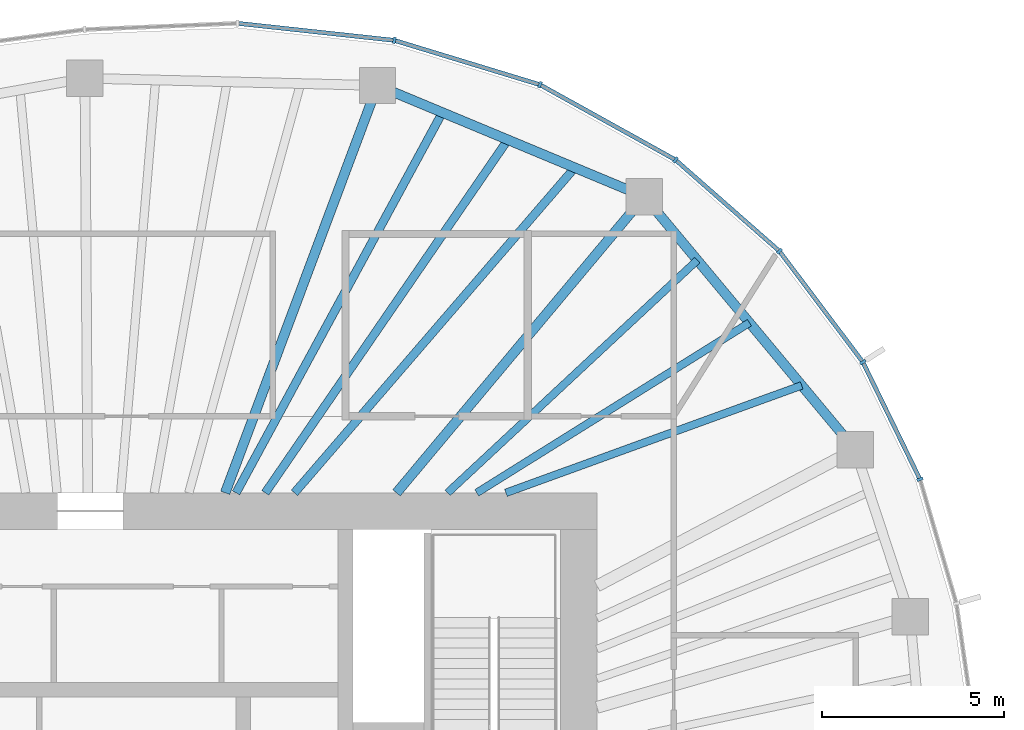
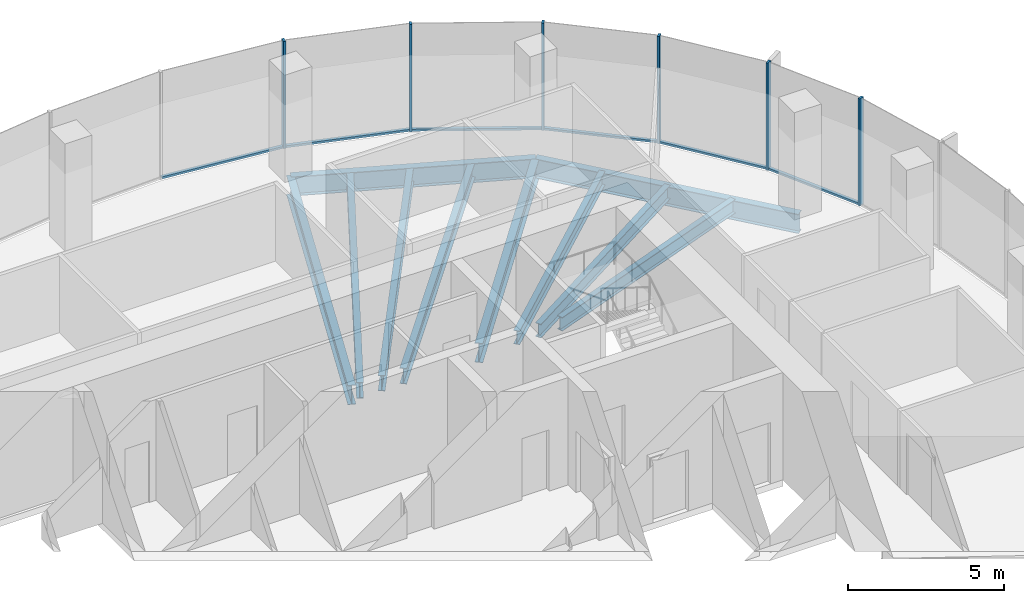
# One storey, part 6 of 12: 12 members, 10 beams, 4 elements without a shape of their own.
"""IFC4 building model written with IfcOpenShell, lengths in metres."""

from ifc_helpers import new_model, si_unit, direction, frame, origin, origin_2d, place, context, subcontext, project, spatial, rectangle, i_section, extrude, material, material_profile, profile_set, type_object, element, aggregate, save


model = new_model("IFC4")

# Units and contexts
model_context = context("Model", 3, precision=1e-05, world=origin(), true_north=direction((0.0, 1.0)))
body_context = subcontext(model_context, "Body", "Model", "MODEL_VIEW")
ifc_project = project(units=[si_unit("LENGTHUNIT", "METRE"), si_unit("AREAUNIT", "SQUARE_METRE"), si_unit("VOLUMEUNIT", "CUBIC_METRE"), si_unit("PLANEANGLEUNIT", "RADIAN"), si_unit("MASSUNIT", "GRAM", prefix="KILO")], contexts=[model_context])

# Site, building, storey
site_placement = place(None, origin())
site = spatial("IfcSite", under=ifc_project, at=site_placement, CompositionType="ELEMENT")
building_placement = place(site_placement, origin())
building = spatial("IfcBuilding", under=site, at=building_placement, Name="Ghaith Harvest Tower", CompositionType="ELEMENT")
storey_placement = place(building_placement, frame((0.0, 0.0, 304.800048828125)))
storey = spatial("IfcBuildingStorey", under=building, at=storey_placement, Name="L68", CompositionType="ELEMENT", Elevation=304.800048828125)

# Curtain wall, member
ifc_material_1 = material(Name="Black anodised aluminium and fritted glass", Category="aluminium")
curtain_wall_type = type_object("IfcCurtainWallType", Name="CW-T CURTAIN WALL", PredefinedType="NOTDEFINED", material=ifc_material_1)
curtain_wall_1_placement = place(storey_placement, origin())
curtain_wall_1 = element("IfcCurtainWall", 1, at=curtain_wall_1_placement, inside=storey, type_object=curtain_wall_type, Name="Curtain wall CW-T bay 02 L68", PredefinedType="NOTDEFINED")
ifc_material_2 = material(Name="Aluminium, black anodised", Category="aluminium")
ifc_material_profile_1 = material_profile(ifc_material_2, rectangle(XDim=0.080078125, YDim=0.179931640625, at=origin_2d()), Name="CW-T MULLION 80x180")
ifc_profile_set_1 = profile_set([ifc_material_profile_1], Name="Aluminium, black anodised")
member_type_1 = type_object("IfcMemberType", Name="CW-T MULLION 80x180", PredefinedType="MULLION", material=ifc_profile_set_1)
member_1_placement = place(storey_placement, frame((22.754150390625, 10.272216796875, 0.0), z_axis=(0.0, 0.0, 1.0), x_axis=(-0.361184273709, 0.932494461338, 0.0)))
member_1 = element("IfcMember", 2, at=member_1_placement, type_object=member_type_1, Name="CW-T mullion 2 bay 02 L68", PredefinedType="MULLION", context=body_context, shape_type="SweptSolid", body=[
    extrude(rectangle(XDim=0.080078125, YDim=0.179931640625, at=origin_2d()), origin(), (0.0, 0.0, 1.0), 4.199951171875),
])

# Curtain wall, members
curtain_wall_2_placement = place(storey_placement, origin())
curtain_wall_2 = element("IfcCurtainWall", 3, at=curtain_wall_2_placement, inside=storey, type_object=curtain_wall_type, Name="Curtain wall CW-T bay 03 L68", PredefinedType="NOTDEFINED")
member_2_placement = place(storey_placement, frame((21.18896484375, 13.48486328125, 0.0), z_axis=(0.0, 0.0, 1.0), x_axis=(-0.524482238522, 0.851421388899, 0.0)))
member_2 = element("IfcMember", 4, at=member_2_placement, type_object=member_type_1, Name="CW-T mullion 1 bay 03 L68", PredefinedType="MULLION", context=body_context, shape_type="SweptSolid", body=[
    extrude(rectangle(XDim=0.080078125, YDim=0.179931640625, at=origin_2d()), origin(), (0.0, 0.0, 1.0), 4.199951171875),
])
member_3_placement = place(storey_placement, frame((18.901123046875, 16.527099609375, 0.0), z_axis=(0.0, 0.0, 1.0), x_axis=(-0.679660897075, 0.733526458274, 0.0)))
member_3 = element("IfcMember", 5, at=member_3_placement, type_object=member_type_1, Name="CW-T mullion 2 bay 03 L68", PredefinedType="MULLION", context=body_context, shape_type="SweptSolid", body=[
    extrude(rectangle(XDim=0.080078125, YDim=0.179931640625, at=origin_2d()), origin(), (0.0, 0.0, 1.0), 4.199951171875),
])

curtain_wall_3_placement = place(storey_placement, origin())
curtain_wall_3 = element("IfcCurtainWall", 6, at=curtain_wall_3_placement, inside=storey, type_object=curtain_wall_type, Name="Curtain wall CW-T bay 04 L68", PredefinedType="NOTDEFINED")
member_4_placement = place(storey_placement, frame((16.04931640625, 19.031982421875, 0.0), z_axis=(0.0, 0.0, 1.0), x_axis=(-0.821112053873, 0.570767023385, 0.0)))
member_4 = element("IfcMember", 7, at=member_4_placement, type_object=member_type_1, Name="CW-T mullion 1 bay 04 L68", PredefinedType="MULLION", context=body_context, shape_type="SweptSolid", body=[
    extrude(rectangle(XDim=0.080078125, YDim=0.179931640625, at=origin_2d()), origin(), (0.0, 0.0, 1.0), 4.199951171875),
])
member_5_placement = place(storey_placement, frame((12.334228515625, 21.091796875, 0.0), z_axis=(0.0, 0.0, 1.0), x_axis=(-0.920319269246, 0.391168049123, 0.0)))
member_5 = element("IfcMember", 8, at=member_5_placement, type_object=member_type_1, Name="CW-T mullion 2 bay 04 L68", PredefinedType="MULLION", context=body_context, shape_type="SweptSolid", body=[
    extrude(rectangle(XDim=0.080078125, YDim=0.179931640625, at=origin_2d()), origin(), (0.0, 0.0, 1.0), 4.199951171875),
])

# Curtain wall, member
curtain_wall_4_placement = place(storey_placement, origin())
curtain_wall_4 = element("IfcCurtainWall", 9, at=curtain_wall_4_placement, inside=storey, type_object=curtain_wall_type, Name="Curtain wall CW-T bay 05 L68", PredefinedType="NOTDEFINED")
member_6_placement = place(storey_placement, frame((8.33984375, 22.308837890625, 0.0), z_axis=(0.0, 0.0, 1.0), x_axis=(-0.980000193436, 0.198996534809, 0.0)))
member_6 = element("IfcMember", 10, at=member_6_placement, type_object=member_type_1, Name="CW-T mullion 1 bay 05 L68", PredefinedType="MULLION", context=body_context, shape_type="SweptSolid", body=[
    extrude(rectangle(XDim=0.080078125, YDim=0.179931640625, at=origin_2d()), origin(), (0.0, 0.0, 1.0), 4.199951171875),
])

# Member
ifc_material_3 = material(Name="Aluminium, black anodised", Category="aluminium")
ifc_material_profile_2 = material_profile(ifc_material_3, rectangle(XDim=0.1201171875, YDim=0.080078125, at=origin_2d()), Name="CW-T TRANSOM 120x80")
ifc_profile_set_2 = profile_set([ifc_material_profile_2], Name="Aluminium, black anodised")
member_type_2 = type_object("IfcMemberType", Name="CW-T TRANSOM 120x80", PredefinedType="USERDEFINED", material=ifc_profile_set_2)
member_7_placement = place(storey_placement, frame((22.736572265625, 10.308349609375, 0.0400390625), z_axis=(-0.437965078712, 0.898991985408, 0.0), x_axis=(-0.898991985408, -0.437965078712, 0.0)))
member_7 = element("IfcMember", 11, at=member_7_placement, type_object=member_type_2, Name="CW-T transom 2 bay 02 L68", ObjectType="TRANSOM", PredefinedType="USERDEFINED", context=body_context, shape_type="SweptSolid", body=[
    extrude(rectangle(XDim=0.1201171875, YDim=0.080078125, at=origin_2d()), origin(), (0.0, 0.0, 1.0), 3.493408203125),
])

aggregate(curtain_wall_1, [member_1, member_7])

member_8_placement = place(storey_placement, frame((21.1650390625, 13.516845703125, 0.0400390625), z_axis=(-0.601079103045, 0.799189534392, 0.0), x_axis=(-0.799189534392, -0.601079103045, 0.0)))
member_8 = element("IfcMember", 12, at=member_8_placement, type_object=member_type_2, Name="CW-T transom 1 bay 03 L68", ObjectType="TRANSOM", PredefinedType="USERDEFINED", context=body_context, shape_type="SweptSolid", body=[
    extrude(rectangle(XDim=0.1201171875, YDim=0.080078125, at=origin_2d()), origin(), (0.0, 0.0, 1.0), 3.7265625),
])

member_9_placement = place(storey_placement, frame((18.87109375, 16.553466796875, 0.0400390625), z_axis=(-0.751325799984, 0.659931467865, 0.0), x_axis=(-0.659931467865, -0.751325799984, 0.0)))
member_9 = element("IfcMember", 13, at=member_9_placement, type_object=member_type_2, Name="CW-T transom 2 bay 03 L68", ObjectType="TRANSOM", PredefinedType="USERDEFINED", context=body_context, shape_type="SweptSolid", body=[
    extrude(rectangle(XDim=0.1201171875, YDim=0.080078125, at=origin_2d()), origin(), (0.0, 0.0, 1.0), 3.7158203125),
])

aggregate(curtain_wall_2, [member_2, member_8, member_3, member_9])

member_10_placement = place(storey_placement, frame((16.01416015625, 19.051513671875, 0.0400390625), z_axis=(-0.874552130553, 0.484931511603, 0.0), x_axis=(-0.484931511603, -0.874552130553, 0.0)))
member_10 = element("IfcMember", 14, at=member_10_placement, type_object=member_type_2, Name="CW-T transom 1 bay 04 L68", ObjectType="TRANSOM", PredefinedType="USERDEFINED", context=body_context, shape_type="SweptSolid", body=[
    extrude(rectangle(XDim=0.1201171875, YDim=0.080078125, at=origin_2d()), origin(), (0.0, 0.0, 1.0), 4.16748046875),
])

member_11_placement = place(storey_placement, frame((12.296142578125, 21.103515625, 0.0400390625), z_axis=(-0.956593713342, 0.291424891858, 0.0), x_axis=(-0.291424891858, -0.956593713342, 0.0)))
member_11 = element("IfcMember", 15, at=member_11_placement, type_object=member_type_2, Name="CW-T transom 2 bay 04 L68", ObjectType="TRANSOM", PredefinedType="USERDEFINED", context=body_context, shape_type="SweptSolid", body=[
    extrude(rectangle(XDim=0.1201171875, YDim=0.080078125, at=origin_2d()), origin(), (0.0, 0.0, 1.0), 4.095703125),
])

aggregate(curtain_wall_3, [member_4, member_10, member_5, member_11])

member_12_placement = place(storey_placement, frame((8.300048828125, 22.313232421875, 0.0400390625), z_axis=(-0.994144463069, 0.108059180768, 0.0), x_axis=(-0.108059180768, -0.994144463069, 0.0)))
member_12 = element("IfcMember", 16, at=member_12_placement, type_object=member_type_2, Name="CW-T transom 1 bay 05 L68", ObjectType="TRANSOM", PredefinedType="USERDEFINED", context=body_context, shape_type="SweptSolid", body=[
    extrude(rectangle(XDim=0.1201171875, YDim=0.080078125, at=origin_2d()), origin(), (0.0, 0.0, 1.0), 4.24755859375),
])

aggregate(curtain_wall_4, [member_6, member_12])

# Beams
ifc_material_4 = material(Name="Steel ASTM A992 Grade 50", Category="steel")
ifc_material_profile_3 = material_profile(ifc_material_4, i_section(OverallWidth=0.26611328125, OverallDepth=0.758056640625, WebThickness=0.013916015625, FlangeThickness=0.019287109375, at=origin_2d()), Name="W760X161")
ifc_profile_set_3 = profile_set([ifc_material_profile_3], Name="Steel ASTM A992 Grade 50")
beam_type_1 = type_object("IfcBeamType", Name="E760-161 W760X161", PredefinedType="SPANDREL", material=ifc_profile_set_3)
beam_1_placement = place(storey_placement, frame((20.97705078125, 11.087890625, -0.549072265625), z_axis=(-0.640173759088, 0.76823014662, 0.0), x_axis=(-0.76823014662, -0.640173759088, 0.0)))
element("IfcBeam", 17, at=beam_1_placement, inside=storey, type_object=beam_type_1, Name="Edge beam E03 L68", PredefinedType="SPANDREL", context=body_context, shape_type="SweptSolid", body=[
    extrude(i_section(OverallWidth=0.26611328125, OverallDepth=0.758056640625, WebThickness=0.013916015625, FlangeThickness=0.019287109375, at=origin_2d()), origin(), (0.0, 0.0, 1.0), 9.02734375),
])
beam_2_placement = place(storey_placement, frame((15.197998046875, 18.02294921875, -0.549072265625), z_axis=(-0.923119729219, 0.384512633766, 0.0), x_axis=(-0.384512633766, -0.923119729219, 0.0)))
element("IfcBeam", 18, at=beam_2_placement, inside=storey, type_object=beam_type_1, Name="Edge beam E04 L68", PredefinedType="SPANDREL", context=body_context, shape_type="SweptSolid", body=[
    extrude(i_section(OverallWidth=0.26611328125, OverallDepth=0.758056640625, WebThickness=0.013916015625, FlangeThickness=0.019287109375, at=origin_2d()), origin(), (0.0, 0.0, 1.0), 7.9296875),
])
ifc_material_5 = material(Name="Steel ASTM A992 Grade 50", Category="steel")
ifc_material_profile_4 = material_profile(ifc_material_5, i_section(OverallWidth=0.26611328125, OverallDepth=0.758056640625, WebThickness=0.013916015625, FlangeThickness=0.019287109375, at=origin_2d()), Name="W760X161")
ifc_profile_set_4 = profile_set([ifc_material_profile_4], Name="Steel ASTM A992 Grade 50")
beam_type_2 = type_object("IfcBeamType", Name="G760-161 W760X161", PredefinedType="BEAM", material=ifc_profile_set_4)
beam_3_placement = place(storey_placement, frame((8.39990234375, 9.89990234375, -0.549072265625), z_axis=(0.641792628883, 0.766878231215, 0.0), x_axis=(-0.766878231215, 0.641792628883, 0.0)))
element("IfcBeam", 19, at=beam_3_placement, inside=storey, type_object=beam_type_2, Name="Radial girder G04 L68", PredefinedType="BEAM", context=body_context, shape_type="SweptSolid", body=[
    extrude(i_section(OverallWidth=0.26611328125, OverallDepth=0.758056640625, WebThickness=0.013916015625, FlangeThickness=0.019287109375, at=origin_2d()), origin(), (0.0, 0.0, 1.0), 10.59228515625),
])
beam_4_placement = place(storey_placement, frame((3.700927734375, 9.89990234375, -0.549072265625), z_axis=(0.350201332531, 0.936674450753, 0.0), x_axis=(-0.936674450753, 0.350201332531, 0.0)))
element("IfcBeam", 20, at=beam_4_placement, inside=storey, type_object=beam_type_2, Name="Radial girder G05 L68", PredefinedType="BEAM", context=body_context, shape_type="SweptSolid", body=[
    extrude(i_section(OverallWidth=0.26611328125, OverallDepth=0.758056640625, WebThickness=0.013916015625, FlangeThickness=0.019287109375, at=origin_2d()), origin(), (0.0, 0.0, 1.0), 11.927490234375),
])
ifc_material_6 = material(Name="Steel ASTM A992 Grade 50", Category="steel")
ifc_material_profile_5 = material_profile(ifc_material_6, i_section(OverallWidth=0.2109375, OverallDepth=0.5390625, WebThickness=0.01171875, FlangeThickness=0.018798828125, at=origin_2d()), Name="W530X109")
ifc_profile_set_5 = profile_set([ifc_material_profile_5], Name="Steel ASTM A992 Grade 50")
beam_type_3 = type_object("IfcBeamType", Name="J530-109 W530X109", PredefinedType="JOIST", material=ifc_profile_set_5)
beam_5_placement = place(storey_placement, frame((11.39990234375, 9.89990234375, -0.439453125), z_axis=(0.939925501564, 0.341379629605, 0.0), x_axis=(-0.341379629605, 0.939925501564, 0.0)))
element("IfcBeam", 21, at=beam_5_placement, inside=storey, type_object=beam_type_3, Name="Joist J03.1 L68", PredefinedType="JOIST", context=body_context, shape_type="SweptSolid", body=[
    extrude(i_section(OverallWidth=0.2109375, OverallDepth=0.5390625, WebThickness=0.01171875, FlangeThickness=0.018798828125, at=origin_2d()), origin(), (0.0, 0.0, 1.0), 8.630615234375),
])
beam_6_placement = place(storey_placement, frame((10.60009765625, 9.89990234375, -0.439453125), z_axis=(0.84837619421, 0.52939383553, 0.0), x_axis=(-0.52939383553, 0.84837619421, 0.0)))
element("IfcBeam", 22, at=beam_6_placement, inside=storey, type_object=beam_type_3, Name="Joist J03.2 L68", PredefinedType="JOIST", context=body_context, shape_type="SweptSolid", body=[
    extrude(i_section(OverallWidth=0.2109375, OverallDepth=0.5390625, WebThickness=0.01171875, FlangeThickness=0.018798828125, at=origin_2d()), origin(), (0.0, 0.0, 1.0), 8.814697265625),
])
beam_7_placement = place(storey_placement, frame((9.800048828125, 9.89990234375, -0.439453125), z_axis=(0.73164904944, 0.681681500742, 0.0), x_axis=(-0.681681500742, 0.73164904944, 0.0)))
element("IfcBeam", 23, at=beam_7_placement, inside=storey, type_object=beam_type_3, Name="Joist J03.3 L68", PredefinedType="JOIST", context=body_context, shape_type="SweptSolid", body=[
    extrude(i_section(OverallWidth=0.2109375, OverallDepth=0.5390625, WebThickness=0.01171875, FlangeThickness=0.018798828125, at=origin_2d()), origin(), (0.0, 0.0, 1.0), 9.361572265625),
])
ifc_material_7 = material(Name="Steel ASTM A992 Grade 50", Category="steel")
ifc_material_profile_6 = material_profile(ifc_material_7, i_section(OverallWidth=0.22998046875, OverallDepth=0.616943359375, WebThickness=0.01318359375, FlangeThickness=0.022216796875, at=origin_2d()), Name="W610X140")
ifc_profile_set_6 = profile_set([ifc_material_profile_6], Name="Steel ASTM A992 Grade 50")
beam_type_4 = type_object("IfcBeamType", Name="J610-140 W610X140", PredefinedType="JOIST", material=ifc_profile_set_6)
beam_8_placement = place(storey_placement, frame((5.60009765625, 9.89990234375, -0.478515625), z_axis=(0.652992938501, 0.757363995888, 0.0), x_axis=(-0.757363995888, 0.652992938501, 0.0)))
element("IfcBeam", 24, at=beam_8_placement, inside=storey, type_object=beam_type_4, Name="Joist J04.1 L68", PredefinedType="JOIST", context=body_context, shape_type="SweptSolid", body=[
    extrude(i_section(OverallWidth=0.22998046875, OverallDepth=0.616943359375, WebThickness=0.01318359375, FlangeThickness=0.022216796875, at=origin_2d()), origin(), (0.0, 0.0, 1.0), 11.775390625),
])
beam_9_placement = place(storey_placement, frame((4.800048828125, 9.89990234375, -0.478515625), z_axis=(0.566228035119, 0.824248634967, 0.0), x_axis=(-0.824248634967, 0.566228035119, 0.0)))
element("IfcBeam", 25, at=beam_9_placement, inside=storey, type_object=beam_type_4, Name="Joist J04.2 L68", PredefinedType="JOIST", context=body_context, shape_type="SweptSolid", body=[
    extrude(i_section(OverallWidth=0.22998046875, OverallDepth=0.616943359375, WebThickness=0.01318359375, FlangeThickness=0.022216796875, at=origin_2d()), origin(), (0.0, 0.0, 1.0), 11.748046875),
])
beam_10_placement = place(storey_placement, frame((4.0, 9.89990234375, -0.478515625), z_axis=(0.476764926531, 0.879030832696, 0.0), x_axis=(-0.879030832696, 0.476764926531, 0.0)))
element("IfcBeam", 26, at=beam_10_placement, inside=storey, type_object=beam_type_4, Name="Joist J04.3 L68", PredefinedType="JOIST", context=body_context, shape_type="SweptSolid", body=[
    extrude(i_section(OverallWidth=0.22998046875, OverallDepth=0.616943359375, WebThickness=0.01318359375, FlangeThickness=0.022216796875, at=origin_2d()), origin(), (0.0, 0.0, 1.0), 11.866455078125),
])

save(model, "model.ifc")
